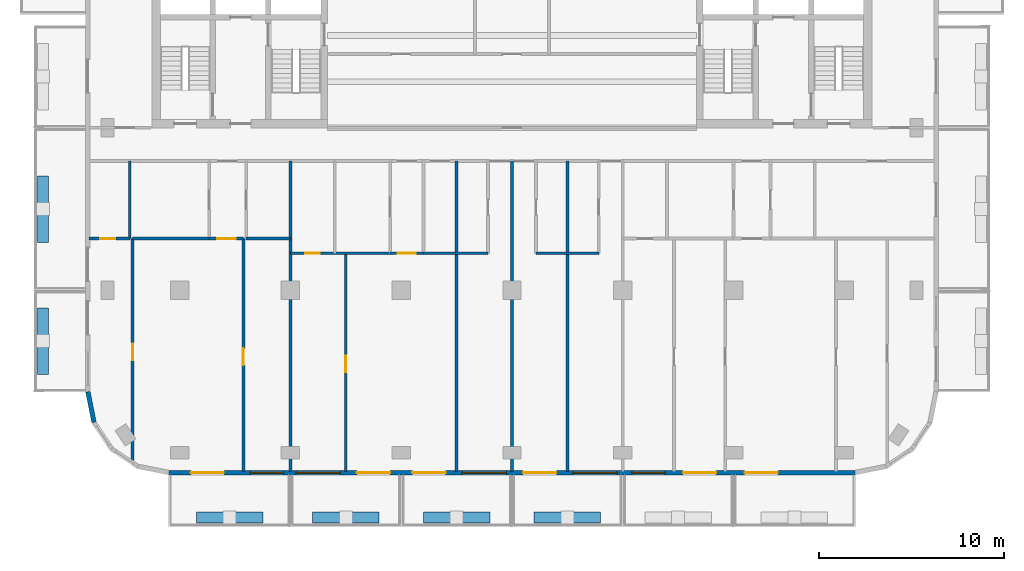
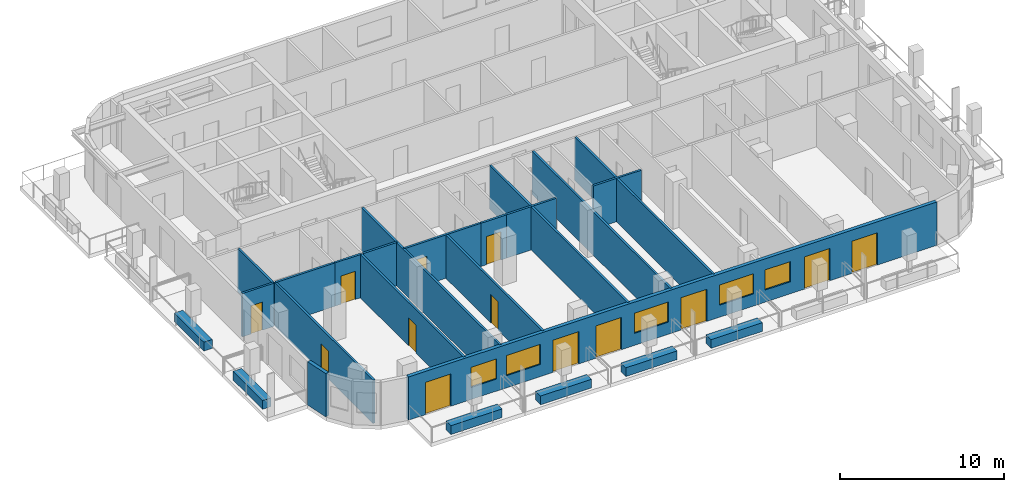
# One storey, part 2 of 11: 24 walls, 13 doors, 5 windows, 18 openings.
"""IFC4 building model written with IfcOpenShell, lengths in metres."""

import ifcopenshell
import ifcopenshell.guid

model = None  # the IFC model being written
_history = None  # IfcOwnerHistory: only IFC2X3 demands one
_inside = {}  # id of a spatial element -> (the spatial element, [elements in it])
_under = {}  # id of a project, library or spatial element -> (it, [spatial elements below it])
_declared = {}  # id of a project -> (the project, [libraries it declares])
_typed = {}  # id of a type object -> (the type object, [elements of that type])
_made_of = {}  # id of a material, layer set ... -> (it, [elements and type objects made of it])


def new_model(schema):
    """Start an empty IFC model of exactly this schema.

    Asked for "IFC4X3", IfcOpenShell would pick the latest addendum, in which some entities
    have other attributes; the version numbers below select the first issue.
    IFC2X3 requires an IfcOwnerHistory on every rooted entity: one is made here for all.
    """
    global model, _history
    if schema == "IFC4X3":
        model = ifcopenshell.file(schema_version=(4, 3, 0, 0))
    else:
        model = ifcopenshell.file(schema=schema)
    _inside.clear()
    _under.clear()
    _declared.clear()
    _typed.clear()
    _made_of.clear()
    _history = None
    if model.schema == "IFC2X3":
        org = make("IfcOrganization", Name="unknown")
        user = make(
            "IfcPersonAndOrganization",
            ThePerson=make("IfcPerson", FamilyName="unknown"),
            TheOrganization=org,
        )
        app = make(
            "IfcApplication",
            ApplicationDeveloper=org,
            Version="unknown",
            ApplicationFullName="unknown",
            ApplicationIdentifier="unknown",
        )
        _history = make(
            "IfcOwnerHistory",
            OwningUser=user,
            OwningApplication=app,
            ChangeAction="ADDED",
            CreationDate=0,
        )
    return model


def make(cls, **values):
    """One entity of the class cls with the attributes given. An attribute that is None is left unset."""
    return model.create_entity(
        cls, **{name: value for name, value in values.items() if value is not None}
    )


def rooted(cls, **values):
    """An entity with a GlobalId (a new one), such as an element, a storey or a relation."""
    return make(cls, GlobalId=ifcopenshell.guid.new(), OwnerHistory=_history, **values)


def si_unit(unit_type, name, prefix=None):
    """IfcSIUnit, for example si_unit("LENGTHUNIT", "METRE", prefix="MILLI")."""
    return make("IfcSIUnit", UnitType=unit_type, Prefix=prefix, Name=name)


def assignment(units):
    """IfcUnitAssignment: the units of a project."""
    return None if units is None else make("IfcUnitAssignment", Units=units)


def point(xyz):
    """IfcCartesianPoint."""
    return None if xyz is None else make("IfcCartesianPoint", Coordinates=xyz)


def direction(xyz):
    """IfcDirection."""
    return None if xyz is None else make("IfcDirection", DirectionRatios=xyz)


def frame(location, z_axis=None, x_axis=None):
    """IfcAxis2Placement3D, a coordinate frame: its origin and axes. An axis left out is left unset."""
    return make(
        "IfcAxis2Placement3D",
        Location=point(location),
        Axis=direction(z_axis),
        RefDirection=direction(x_axis),
    )


def frame_2d(location, x_axis=None):
    """IfcAxis2Placement2D, a coordinate frame in the plane: its origin and x axis."""
    return make(
        "IfcAxis2Placement2D", Location=point(location), RefDirection=direction(x_axis)
    )


def origin():
    """The frame at (0, 0, 0) with its axes left unset."""
    return frame((0.0, 0.0, 0.0))


def place(relative_to, where):
    """IfcLocalPlacement: puts the frame where relative to a parent placement (None: the world)."""
    return make(
        "IfcLocalPlacement", PlacementRelTo=relative_to, RelativePlacement=where
    )


def context(
    kind, dimensions, precision=None, world=None, true_north=None, identifier=None
):
    """IfcGeometricRepresentationContext, for example the 3D "Model" context."""
    return make(
        "IfcGeometricRepresentationContext",
        ContextIdentifier=identifier,
        ContextType=kind,
        CoordinateSpaceDimension=dimensions,
        Precision=precision,
        WorldCoordinateSystem=world,
        TrueNorth=true_north,
    )


def subcontext(parent, identifier, kind, view, scale=None):
    """IfcGeometricRepresentationSubContext, for example "Body" below "Model"."""
    return make(
        "IfcGeometricRepresentationSubContext",
        ContextIdentifier=identifier,
        ContextType=kind,
        ParentContext=parent,
        TargetScale=scale,
        TargetView=view,
    )


def project(units=None, contexts=None):
    """IfcProject with its units and contexts."""
    return rooted(
        "IfcProject",
        Name="project",
        RepresentationContexts=contexts,
        UnitsInContext=assignment(units),
    )


def spatial(cls, under=None, at=None, **own):
    """A site, building, storey or space (cls), placed at a placement, below another one or the project."""
    s = rooted(cls, ObjectPlacement=at, **own)
    if under is not None:
        _under.setdefault(under.id(), (under, []))[1].append(s)
    return s


def profile(cls, at=None, kind="AREA", **sizes):
    """A parametric profile (cls). Its sizes go by their IFC names, for example OverallWidth=200.0."""
    return make(cls, ProfileType=kind, Position=at, **sizes)


def rectangle(**sizes):
    """IfcRectangleProfileDef."""
    return profile("IfcRectangleProfileDef", **sizes)


def extrude(swept, where, along, depth):
    """IfcExtrudedAreaSolid: the profile swept, set in the frame where, extruded along a direction by depth."""
    return make(
        "IfcExtrudedAreaSolid",
        SweptArea=swept,
        Position=where,
        ExtrudedDirection=direction(along),
        Depth=depth,
    )


def shape(context_of_items, identifier, shape_type, items):
    """IfcShapeRepresentation: the items that make up one representation, for example the "Body"."""
    return make(
        "IfcShapeRepresentation",
        ContextOfItems=context_of_items,
        RepresentationIdentifier=identifier,
        RepresentationType=shape_type,
        Items=items,
    )


def material(Name=None, Category=None):
    """IfcMaterial."""
    return make("IfcMaterial", Name=Name, Category=Category)


def layer(
    of_material, thickness, ventilated=None, Name=None, Category=None, Priority=None
):
    """IfcMaterialLayer: one layer of a wall or slab, of a material (None: an air gap)."""
    return make(
        "IfcMaterialLayer",
        Material=of_material,
        LayerThickness=thickness,
        IsVentilated=ventilated,
        Name=Name,
        Category=Category,
        Priority=Priority,
    )


def layer_set(layers, Name=None):
    """IfcMaterialLayerSet."""
    return make("IfcMaterialLayerSet", MaterialLayers=layers, LayerSetName=Name)


def made_of(thing, what):
    """Note that an element or type object is made of a material, layer set ...; save() writes the relation."""
    if what is not None:
        _made_of.setdefault(what.id(), (what, []))[1].append(thing)
    return thing


def type_object(cls, material=None, **own):
    """A type object (cls), such as IfcWallType, which elements share."""
    return made_of(rooted(cls, **own), material)


def element(
    cls,
    number,
    at=None,
    inside=None,
    cuts=None,
    type_object=None,
    material=None,
    context=None,
    identifier="Body",
    shape_type=None,
    held_by="IfcProductDefinitionShape",
    body=None,
    shapes=None,
    **own,
):
    """One element of the class cls, such as IfcWall. Its Tag is "e" and its number.

    at: its placement. inside: the storey or other place that contains it. cuts: it is an
    opening in that element (IfcRelVoidsElement). A single representation is given by context,
    identifier, shape_type and body (its items); several are given by shapes. held_by: the class
    of the entity that holds the representations. save() writes the other relations.
    """
    e = rooted(cls, Tag="e%d" % number, ObjectPlacement=at, **own)
    if body is not None:
        shapes = [shape(context, identifier, shape_type, body)]
    if shapes is not None:
        e.Representation = make(held_by, Representations=shapes)
    if inside is not None:
        _inside.setdefault(inside.id(), (inside, []))[1].append(e)
    if cuts is not None:
        rooted(
            "IfcRelVoidsElement", RelatingBuildingElement=cuts, RelatedOpeningElement=e
        )
    if type_object is not None:
        _typed.setdefault(type_object.id(), (type_object, []))[1].append(e)
    return made_of(e, material)


def fill(opening, filler):
    """IfcRelFillsElement: the door or window that sits in an opening."""
    return rooted(
        "IfcRelFillsElement",
        RelatingOpeningElement=opening,
        RelatedBuildingElement=filler,
    )


def aggregate(whole, parts):
    """IfcRelAggregates: a whole, such as a stair, and the parts it consists of."""
    return rooted("IfcRelAggregates", RelatingObject=whole, RelatedObjects=parts)


def save(model, path):
    """Write the relations noted so far, then the file.

    IfcRelAggregates (storeys below a building ...), IfcRelContainedInSpatialStructure (elements
    in a storey), IfcRelDefinesByType, IfcRelAssociatesMaterial and IfcRelDeclares: one each for
    every whole, place, type object, material and project.
    """
    for whole, parts in _under.values():
        aggregate(whole, parts)
    for where, things in _inside.values():
        rooted(
            "IfcRelContainedInSpatialStructure",
            RelatedElements=things,
            RelatingStructure=where,
        )
    for kind, things in _typed.values():
        rooted("IfcRelDefinesByType", RelatedObjects=things, RelatingType=kind)
    for what, things in _made_of.values():
        rooted("IfcRelAssociatesMaterial", RelatedObjects=things, RelatingMaterial=what)
    for by, libraries in _declared.values():
        rooted("IfcRelDeclares", RelatingContext=by, RelatedDefinitions=libraries)
    model.write(path)


model = new_model("IFC4")

# Units and contexts
model_context = context("Model", 3, precision=1e-05, world=origin(), true_north=direction((0.0, 1.0)))
body_context = subcontext(model_context, "Body", "Model", "MODEL_VIEW")
ifc_project = project(units=[si_unit("LENGTHUNIT", "METRE"), si_unit("AREAUNIT", "SQUARE_METRE"), si_unit("VOLUMEUNIT", "CUBIC_METRE"), si_unit("PLANEANGLEUNIT", "RADIAN"), si_unit("MASSUNIT", "GRAM", prefix="KILO")], contexts=[model_context])

# Site, building, storey
site_placement = place(None, origin())
site = spatial("IfcSite", under=ifc_project, at=site_placement, CompositionType="ELEMENT")
building_placement = place(site_placement, origin())
building = spatial("IfcBuilding", under=site, at=building_placement, Name="Torana Hotel and Residences", CompositionType="ELEMENT")
storey_placement = place(building_placement, frame((0.0, 0.0, 287.60009765625)))
storey = spatial("IfcBuildingStorey", under=building, at=storey_placement, Name="L76", CompositionType="ELEMENT", Elevation=287.60009765625)

# Wall
ifc_material_1 = material(Name="Black aluminium composite panel", Category="aluminium")
ifc_layer_1 = layer(ifc_material_1, 0.00390625, Name="Cladding", Category="cladding")
ifc_material_2 = material(Name="Ventilated air cavity")
ifc_layer_2 = layer(ifc_material_2, 0.0400390625, Name="Ventilated cavity", Category="cavity")
ifc_material_3 = material(Name="Mineral wool insulation")
ifc_layer_3 = layer(ifc_material_3, 0.090087890625, Name="Insulation", Category="insulation")
ifc_material_4 = material(Name="Steel S280GD", Category="steel")
ifc_layer_4 = layer(ifc_material_4, 0.092041015625, Name="Steel stud frame", Category="structure")
ifc_material_5 = material(Name="Fire rated plasterboard")
ifc_layer_5 = layer(ifc_material_5, 0.011962890625, Name="Inner board", Category="finish")
ifc_layer_6 = layer(ifc_material_5, 0.011962890625, Name="Second board", Category="finish")
ifc_layer_set_1 = layer_set([ifc_layer_1, ifc_layer_2, ifc_layer_3, ifc_layer_4, ifc_layer_5, ifc_layer_6], Name="EW1 EXTERNAL WALL BLACK METAL CLAD 250")
wall_type_1 = type_object("IfcWallType", Name="EW1 EXTERNAL WALL BLACK METAL CLAD 250", PredefinedType="SOLIDWALL", material=ifc_layer_set_1)
wall_1_placement = place(storey_placement, frame((-22.97265625, -29.2998046875, 0.0), z_axis=(0.0, 0.0, 1.0), x_axis=(0.19513878023, -0.980775640221, 0.0)))
element("IfcWall", 1, at=wall_1_placement, inside=storey, type_object=wall_type_1, Name="External wall L76 e0.10", PredefinedType="SOLIDWALL", context=body_context, shape_type="SweptSolid", body=[
    extrude(rectangle(XDim=1.681396484375, YDim=0.25, at=frame_2d((0.8408203125, 0.0))), origin(), (0.0, 0.0, 1.0), 3.219970703125),
])

# Wall, openings, doors, windows
wall_2_placement = place(storey_placement, frame((-18.575439453125, -33.675048828125, 0.0), z_axis=(0.0, 0.0, 1.0), x_axis=(1.0, 0.0, 0.0)))
wall_2 = element("IfcWall", 2, at=wall_2_placement, inside=storey, type_object=wall_type_1, Name="External wall L76 e0.14", PredefinedType="SOLIDWALL", context=body_context, shape_type="SweptSolid", body=[
    extrude(rectangle(XDim=37.15087890625, YDim=0.25, at=frame_2d((18.575439453125, 0.0))), origin(), (0.0, 0.0, 1.0), 3.219970703125),
])
opening_1_placement = place(wall_2_placement, frame((1.17529296875, 0.0, 0.0)))
opening_1 = element("IfcOpeningElement", 3, at=opening_1_placement, cuts=wall_2, Name="Opening L76-E01", PredefinedType="OPENING", context=body_context, shape_type="SweptSolid", body=[
    extrude(rectangle(XDim=1.800048828125, YDim=2.39990234375, at=frame_2d((0.89990234375, 1.199951171875))), frame((0.0, 0.135009765625, 0.0), z_axis=(0.0, -1.0, 0.0), x_axis=(1.0, 0.0, 0.0)), (0.0, 0.0, 1.0), 0.27001953125),
])
opening_2_placement = place(wall_2_placement, frame((4.400390625, 0.0, 0.89990234375)))
opening_2 = element("IfcOpeningElement", 4, at=opening_2_placement, cuts=wall_2, Name="Opening W4", PredefinedType="OPENING", context=body_context, shape_type="SweptSolid", body=[
    extrude(rectangle(XDim=1.800048828125, YDim=1.5, at=frame_2d((0.89990234375, 0.75))), frame((0.0, 0.135009765625, 0.0), z_axis=(0.0, -1.0, 0.0), x_axis=(1.0, 0.0, 0.0)), (0.0, 0.0, 1.0), 0.27001953125),
])
opening_3_placement = place(wall_2_placement, frame((6.87548828125, 0.0, 0.89990234375)))
opening_3 = element("IfcOpeningElement", 5, at=opening_3_placement, cuts=wall_2, Name="Opening W3", PredefinedType="OPENING", context=body_context, shape_type="SweptSolid", body=[
    extrude(rectangle(XDim=2.39990234375, YDim=1.5, at=frame_2d((1.199951171875, 0.75))), frame((0.0, 0.135009765625, 0.0), z_axis=(0.0, -1.0, 0.0), x_axis=(1.0, 0.0, 0.0)), (0.0, 0.0, 1.0), 0.27001953125),
])
opening_4_placement = place(wall_2_placement, frame((10.17529296875, 0.0, 0.0)))
opening_4 = element("IfcOpeningElement", 6, at=opening_4_placement, cuts=wall_2, Name="Opening L76-E02", PredefinedType="OPENING", context=body_context, shape_type="SweptSolid", body=[
    extrude(rectangle(XDim=1.800048828125, YDim=2.39990234375, at=frame_2d((0.89990234375, 1.199951171875))), frame((0.0, 0.135009765625, 0.0), z_axis=(0.0, -1.0, 0.0), x_axis=(1.0, 0.0, 0.0)), (0.0, 0.0, 1.0), 0.27001953125),
])
opening_5_placement = place(wall_2_placement, frame((13.17529296875, 0.0, 0.0)))
opening_5 = element("IfcOpeningElement", 7, at=opening_5_placement, cuts=wall_2, Name="Opening L76-E03", PredefinedType="OPENING", context=body_context, shape_type="SweptSolid", body=[
    extrude(rectangle(XDim=1.800048828125, YDim=2.39990234375, at=frame_2d((0.89990234375, 1.199951171875))), frame((0.0, 0.135009765625, 0.0), z_axis=(0.0, -1.0, 0.0), x_axis=(1.0, 0.0, 0.0)), (0.0, 0.0, 1.0), 0.27001953125),
])
opening_6_placement = place(wall_2_placement, frame((15.87548828125, 0.0, 0.89990234375)))
opening_6 = element("IfcOpeningElement", 8, at=opening_6_placement, cuts=wall_2, Name="Opening W3", PredefinedType="OPENING", context=body_context, shape_type="SweptSolid", body=[
    extrude(rectangle(XDim=2.39990234375, YDim=1.5, at=frame_2d((1.199951171875, 0.75))), frame((0.0, 0.135009765625, 0.0), z_axis=(0.0, -1.0, 0.0), x_axis=(1.0, 0.0, 0.0)), (0.0, 0.0, 1.0), 0.27001953125),
])
opening_7_placement = place(wall_2_placement, frame((19.17529296875, 0.0, 0.0)))
opening_7 = element("IfcOpeningElement", 9, at=opening_7_placement, cuts=wall_2, Name="Opening L76-E04", PredefinedType="OPENING", context=body_context, shape_type="SweptSolid", body=[
    extrude(rectangle(XDim=1.800048828125, YDim=2.39990234375, at=frame_2d((0.89990234375, 1.199951171875))), frame((0.0, 0.135009765625, 0.0), z_axis=(0.0, -1.0, 0.0), x_axis=(1.0, 0.0, 0.0)), (0.0, 0.0, 1.0), 0.27001953125),
])
opening_8_placement = place(wall_2_placement, frame((21.87548828125, 0.0, 0.89990234375)))
opening_8 = element("IfcOpeningElement", 10, at=opening_8_placement, cuts=wall_2, Name="Opening W3", PredefinedType="OPENING", context=body_context, shape_type="SweptSolid", body=[
    extrude(rectangle(XDim=2.39990234375, YDim=1.5, at=frame_2d((1.199951171875, 0.75))), frame((0.0, 0.135009765625, 0.0), z_axis=(0.0, -1.0, 0.0), x_axis=(1.0, 0.0, 0.0)), (0.0, 0.0, 1.0), 0.27001953125),
])
opening_9_placement = place(wall_2_placement, frame((25.0634765625, 0.0, 0.89990234375)))
opening_9 = element("IfcOpeningElement", 11, at=opening_9_placement, cuts=wall_2, Name="Opening W4", PredefinedType="OPENING", context=body_context, shape_type="SweptSolid", body=[
    extrude(rectangle(XDim=1.800048828125, YDim=1.5, at=frame_2d((0.89990234375, 0.75))), frame((0.0, 0.135009765625, 0.0), z_axis=(0.0, -1.0, 0.0), x_axis=(1.0, 0.0, 0.0)), (0.0, 0.0, 1.0), 0.27001953125),
])
opening_10_placement = place(wall_2_placement, frame((27.83837890625, 0.0, 0.0)))
opening_10 = element("IfcOpeningElement", 12, at=opening_10_placement, cuts=wall_2, Name="Opening L76-E05", PredefinedType="OPENING", context=body_context, shape_type="SweptSolid", body=[
    extrude(rectangle(XDim=1.800048828125, YDim=2.39990234375, at=frame_2d((0.89990234375, 1.199951171875))), frame((0.0, 0.135009765625, 0.0), z_axis=(0.0, -1.0, 0.0), x_axis=(1.0, 0.0, 0.0)), (0.0, 0.0, 1.0), 0.27001953125),
])
opening_11_placement = place(wall_2_placement, frame((31.17529296875, 0.0, 0.0)))
opening_11 = element("IfcOpeningElement", 13, at=opening_11_placement, cuts=wall_2, Name="Opening L76-E06", PredefinedType="OPENING", context=body_context, shape_type="SweptSolid", body=[
    extrude(rectangle(XDim=1.800048828125, YDim=2.39990234375, at=frame_2d((0.89990234375, 1.199951171875))), frame((0.0, 0.135009765625, 0.0), z_axis=(0.0, -1.0, 0.0), x_axis=(1.0, 0.0, 0.0)), (0.0, 0.0, 1.0), 0.27001953125),
])
ifc_material_6 = material(Name="Dark glass in black aluminium frame", Category="aluminium")
door_type_1 = type_object("IfcDoorType", Name="DB1 BALCONY DOOR 1800x2400", OperationType="DOUBLE_DOOR_SINGLE_SWING", PredefinedType="DOOR", material=ifc_material_6)
door_1_placement = place(opening_1_placement, origin())
door_1 = element("IfcDoor", 14, at=door_1_placement, inside=storey, type_object=door_type_1, Name="Balcony door L76", OperationType="DOUBLE_DOOR_SINGLE_SWING", OverallHeight=2.39990234375, OverallWidth=1.800048828125, PredefinedType="DOOR", context=body_context, shape_type="SweptSolid", body=[
    extrude(rectangle(XDim=1.800048828125, YDim=2.39990234375, at=frame_2d((0.89990234375, 1.199951171875))), frame((0.0, 0.02490234375, 0.0), z_axis=(0.0, -1.0, 0.0), x_axis=(1.0, 0.0, 0.0)), (0.0, 0.0, 1.0), 0.050048828125),
])
fill(opening_1, door_1)
door_2_placement = place(opening_4_placement, origin())
door_2 = element("IfcDoor", 15, at=door_2_placement, inside=storey, type_object=door_type_1, Name="Balcony door L76", OperationType="DOUBLE_DOOR_SINGLE_SWING", OverallHeight=2.39990234375, OverallWidth=1.800048828125, PredefinedType="DOOR", context=body_context, shape_type="SweptSolid", body=[
    extrude(rectangle(XDim=1.800048828125, YDim=2.39990234375, at=frame_2d((0.89990234375, 1.199951171875))), frame((0.0, 0.02490234375, 0.0), z_axis=(0.0, -1.0, 0.0), x_axis=(1.0, 0.0, 0.0)), (0.0, 0.0, 1.0), 0.050048828125),
])
fill(opening_4, door_2)
door_3_placement = place(opening_5_placement, origin())
door_3 = element("IfcDoor", 16, at=door_3_placement, inside=storey, type_object=door_type_1, Name="Balcony door L76", OperationType="DOUBLE_DOOR_SINGLE_SWING", OverallHeight=2.39990234375, OverallWidth=1.800048828125, PredefinedType="DOOR", context=body_context, shape_type="SweptSolid", body=[
    extrude(rectangle(XDim=1.800048828125, YDim=2.39990234375, at=frame_2d((0.89990234375, 1.199951171875))), frame((0.0, 0.02490234375, 0.0), z_axis=(0.0, -1.0, 0.0), x_axis=(1.0, 0.0, 0.0)), (0.0, 0.0, 1.0), 0.050048828125),
])
fill(opening_5, door_3)
door_4_placement = place(opening_7_placement, origin())
door_4 = element("IfcDoor", 17, at=door_4_placement, inside=storey, type_object=door_type_1, Name="Balcony door L76", OperationType="DOUBLE_DOOR_SINGLE_SWING", OverallHeight=2.39990234375, OverallWidth=1.800048828125, PredefinedType="DOOR", context=body_context, shape_type="SweptSolid", body=[
    extrude(rectangle(XDim=1.800048828125, YDim=2.39990234375, at=frame_2d((0.89990234375, 1.199951171875))), frame((0.0, 0.02490234375, 0.0), z_axis=(0.0, -1.0, 0.0), x_axis=(1.0, 0.0, 0.0)), (0.0, 0.0, 1.0), 0.050048828125),
])
fill(opening_7, door_4)
door_5_placement = place(opening_10_placement, origin())
door_5 = element("IfcDoor", 18, at=door_5_placement, inside=storey, type_object=door_type_1, Name="Balcony door L76", OperationType="DOUBLE_DOOR_SINGLE_SWING", OverallHeight=2.39990234375, OverallWidth=1.800048828125, PredefinedType="DOOR", context=body_context, shape_type="SweptSolid", body=[
    extrude(rectangle(XDim=1.800048828125, YDim=2.39990234375, at=frame_2d((0.89990234375, 1.199951171875))), frame((0.0, 0.02490234375, 0.0), z_axis=(0.0, -1.0, 0.0), x_axis=(1.0, 0.0, 0.0)), (0.0, 0.0, 1.0), 0.050048828125),
])
fill(opening_10, door_5)
door_6_placement = place(opening_11_placement, origin())
door_6 = element("IfcDoor", 19, at=door_6_placement, inside=storey, type_object=door_type_1, Name="Balcony door L76", OperationType="DOUBLE_DOOR_SINGLE_SWING", OverallHeight=2.39990234375, OverallWidth=1.800048828125, PredefinedType="DOOR", context=body_context, shape_type="SweptSolid", body=[
    extrude(rectangle(XDim=1.800048828125, YDim=2.39990234375, at=frame_2d((0.89990234375, 1.199951171875))), frame((0.0, 0.02490234375, 0.0), z_axis=(0.0, -1.0, 0.0), x_axis=(1.0, 0.0, 0.0)), (0.0, 0.0, 1.0), 0.050048828125),
])
fill(opening_11, door_6)
ifc_material_7 = material(Name="Dark glass in black aluminium frame", Category="aluminium")
window_type_1 = type_object("IfcWindowType", Name="W3 RESIDENCE WINDOW 2400x1500", PartitioningType="SINGLE_PANEL", PredefinedType="WINDOW", material=ifc_material_7)
window_1_placement = place(opening_3_placement, origin())
window_1 = element("IfcWindow", 20, at=window_1_placement, inside=storey, type_object=window_type_1, Name="Window L76", OverallHeight=1.5, OverallWidth=2.39990234375, PartitioningType="SINGLE_PANEL", PredefinedType="WINDOW", context=body_context, shape_type="SweptSolid", body=[
    extrude(rectangle(XDim=2.39990234375, YDim=1.5, at=frame_2d((1.199951171875, 0.75))), frame((0.0, 0.030029296875, 0.0), z_axis=(0.0, -1.0, 0.0), x_axis=(1.0, 0.0, 0.0)), (0.0, 0.0, 1.0), 0.06005859375),
])
fill(opening_3, window_1)
window_2_placement = place(opening_6_placement, origin())
window_2 = element("IfcWindow", 21, at=window_2_placement, inside=storey, type_object=window_type_1, Name="Window L76", OverallHeight=1.5, OverallWidth=2.39990234375, PartitioningType="SINGLE_PANEL", PredefinedType="WINDOW", context=body_context, shape_type="SweptSolid", body=[
    extrude(rectangle(XDim=2.39990234375, YDim=1.5, at=frame_2d((1.199951171875, 0.75))), frame((0.0, 0.030029296875, 0.0), z_axis=(0.0, -1.0, 0.0), x_axis=(1.0, 0.0, 0.0)), (0.0, 0.0, 1.0), 0.06005859375),
])
fill(opening_6, window_2)
window_3_placement = place(opening_8_placement, origin())
window_3 = element("IfcWindow", 22, at=window_3_placement, inside=storey, type_object=window_type_1, Name="Window L76", OverallHeight=1.5, OverallWidth=2.39990234375, PartitioningType="SINGLE_PANEL", PredefinedType="WINDOW", context=body_context, shape_type="SweptSolid", body=[
    extrude(rectangle(XDim=2.39990234375, YDim=1.5, at=frame_2d((1.199951171875, 0.75))), frame((0.0, 0.030029296875, 0.0), z_axis=(0.0, -1.0, 0.0), x_axis=(1.0, 0.0, 0.0)), (0.0, 0.0, 1.0), 0.06005859375),
])
fill(opening_8, window_3)
ifc_material_8 = material(Name="Dark glass in black aluminium frame", Category="aluminium")
window_type_2 = type_object("IfcWindowType", Name="W4 RESIDENCE WINDOW NARROW 1800x1500", PartitioningType="SINGLE_PANEL", PredefinedType="WINDOW", material=ifc_material_8)
window_4_placement = place(opening_2_placement, origin())
window_4 = element("IfcWindow", 23, at=window_4_placement, inside=storey, type_object=window_type_2, Name="Window L76", OverallHeight=1.5, OverallWidth=1.800048828125, PartitioningType="SINGLE_PANEL", PredefinedType="WINDOW", context=body_context, shape_type="SweptSolid", body=[
    extrude(rectangle(XDim=1.800048828125, YDim=1.5, at=frame_2d((0.89990234375, 0.75))), frame((0.0, 0.030029296875, 0.0), z_axis=(0.0, -1.0, 0.0), x_axis=(1.0, 0.0, 0.0)), (0.0, 0.0, 1.0), 0.06005859375),
])
fill(opening_2, window_4)
window_5_placement = place(opening_9_placement, origin())
window_5 = element("IfcWindow", 24, at=window_5_placement, inside=storey, type_object=window_type_2, Name="Window L76", OverallHeight=1.5, OverallWidth=1.800048828125, PartitioningType="SINGLE_PANEL", PredefinedType="WINDOW", context=body_context, shape_type="SweptSolid", body=[
    extrude(rectangle(XDim=1.800048828125, YDim=1.5, at=frame_2d((0.89990234375, 0.75))), frame((0.0, 0.030029296875, 0.0), z_axis=(0.0, -1.0, 0.0), x_axis=(1.0, 0.0, 0.0)), (0.0, 0.0, 1.0), 0.06005859375),
])
fill(opening_9, window_5)

# Wall, opening, door
ifc_material_9 = material(Name="Gypsum plaster")
ifc_layer_7 = layer(ifc_material_9, 0.014892578125, Name="Plaster", Category="finish")
ifc_material_10 = material(Name="Concrete blockwork", Category="masonry")
ifc_layer_8 = layer(ifc_material_10, 0.1201171875, Name="Blockwork", Category="structure")
ifc_layer_9 = layer(ifc_material_9, 0.014892578125, Name="Plaster", Category="finish")
ifc_layer_set_2 = layer_set([ifc_layer_7, ifc_layer_8, ifc_layer_9], Name="FIRE PARTITION 150 BLOCKWORK")
wall_type_2 = type_object("IfcWallType", Name="FIRE PARTITION 150 BLOCKWORK", PredefinedType="PARTITIONING", material=ifc_layer_set_2)
wall_3_placement = place(storey_placement, frame((-6.60009765625, -21.800048828125, 0.0), z_axis=(0.0, 0.0, 1.0), x_axis=(1.0, 0.0, 0.0)))
wall_3 = element("IfcWall", 25, at=wall_3_placement, inside=storey, type_object=wall_type_2, Name="Partition L76", PredefinedType="PARTITIONING", context=body_context, shape_type="SweptSolid", body=[
    extrude(rectangle(XDim=1.800048828125, YDim=0.14990234375, at=frame_2d((0.89990234375, 0.0))), origin(), (0.0, 0.0, 1.0), 3.219970703125),
])
opening_12_placement = place(wall_3_placement, frame((0.39990234375, 0.0, 0.0)))
opening_12 = element("IfcOpeningElement", 26, at=opening_12_placement, cuts=wall_3, Name="Opening L76-40", PredefinedType="OPENING", context=body_context, shape_type="SweptSolid", body=[
    extrude(rectangle(XDim=1.0, YDim=2.10009765625, at=frame_2d((0.5, 1.050048828125))), frame((0.0, 0.0849609375, 0.0), z_axis=(0.0, -1.0, 0.0), x_axis=(1.0, 0.0, 0.0)), (0.0, 0.0, 1.0), 0.169921875),
])
ifc_material_11 = material(Name="Steel S235", Category="steel")
door_type_2 = type_object("IfcDoorType", Name="ENTRY FIRE DOOR D6 1000x2100", OperationType="SINGLE_SWING_LEFT", PredefinedType="DOOR", material=ifc_material_11)
door_7_placement = place(opening_12_placement, frame((0.5, 0.0, 0.0), z_axis=(0.0, 0.0, 1.0), x_axis=(-1.0, 0.0, 0.0)))
door_7 = element("IfcDoor", 27, at=door_7_placement, inside=storey, type_object=door_type_2, Name="Door L76", OperationType="SINGLE_SWING_LEFT", OverallHeight=2.10009765625, OverallWidth=1.0, PredefinedType="DOOR", context=body_context, shape_type="SweptSolid", body=[
    extrude(rectangle(XDim=1.0, YDim=2.10009765625, at=frame_2d((0.0, 1.050048828125))), frame((0.0, -0.02490234375, 0.0), z_axis=(0.0, 1.0, 0.0), x_axis=(-1.0, 0.0, 0.0)), (0.0, 0.0, 1.0), 0.050048828125),
])
fill(opening_12, door_7)

wall_4_placement = place(storey_placement, frame((-16.39990234375, -21.0, 0.0), z_axis=(0.0, 0.0, 1.0), x_axis=(1.0, 0.0, 0.0)))
wall_4 = element("IfcWall", 28, at=wall_4_placement, inside=storey, type_object=wall_type_2, Name="Partition L76", PredefinedType="PARTITIONING", context=body_context, shape_type="SweptSolid", body=[
    extrude(rectangle(XDim=1.849853515625, YDim=0.14990234375, at=frame_2d((0.9248046875, 0.0))), origin(), (0.0, 0.0, 1.0), 3.219970703125),
])
opening_13_placement = place(wall_4_placement, frame((0.425048828125, 0.0, 0.0)))
opening_13 = element("IfcOpeningElement", 29, at=opening_13_placement, cuts=wall_4, Name="Opening L76-47", PredefinedType="OPENING", context=body_context, shape_type="SweptSolid", body=[
    extrude(rectangle(XDim=1.0, YDim=2.10009765625, at=frame_2d((0.5, 1.050048828125))), frame((0.0, 0.0849609375, 0.0), z_axis=(0.0, -1.0, 0.0), x_axis=(1.0, 0.0, 0.0)), (0.0, 0.0, 1.0), 0.169921875),
])
door_8_placement = place(opening_13_placement, frame((0.5, 0.0, 0.0), z_axis=(0.0, 0.0, 1.0), x_axis=(-1.0, 0.0, 0.0)))
door_8 = element("IfcDoor", 30, at=door_8_placement, inside=storey, type_object=door_type_2, Name="Door L76", OperationType="SINGLE_SWING_RIGHT", OverallHeight=2.10009765625, OverallWidth=1.0, PredefinedType="DOOR", context=body_context, shape_type="SweptSolid", body=[
    extrude(rectangle(XDim=1.0, YDim=2.10009765625, at=frame_2d((0.0, 1.050048828125))), frame((0.0, -0.02490234375, 0.0), z_axis=(0.0, 1.0, 0.0), x_axis=(-1.0, 0.0, 0.0)), (0.0, 0.0, 1.0), 0.050048828125),
])
fill(opening_13, door_8)

# Walls
ifc_material_12 = material(Name="Gypsum plasterboard")
ifc_layer_10 = layer(ifc_material_12, 0.012451171875, Name="Plasterboard", Category="finish")
ifc_layer_11 = layer(ifc_material_12, 0.012451171875, Name="Plasterboard", Category="finish")
ifc_layer_12 = layer(ifc_material_4, 0.10009765625, Name="Steel studs with mineral wool", Category="insulation")
ifc_layer_13 = layer(ifc_material_12, 0.012451171875, Name="Plasterboard", Category="finish")
ifc_layer_14 = layer(ifc_material_12, 0.012451171875, Name="Plasterboard", Category="finish")
ifc_layer_set_3 = layer_set([ifc_layer_10, ifc_layer_11, ifc_layer_12, ifc_layer_13, ifc_layer_14], Name="PARTITION 150 PLASTERBOARD")
wall_type_3 = type_object("IfcWallType", Name="PARTITION 150 PLASTERBOARD", PredefinedType="PARTITIONING", material=ifc_layer_set_3)
for number, where, z_axis, x_axis, name in (
    (31, (3.0, -33.6201171875, 0.0), (0.0, 0.0, 1.0), (0.0, 1.0, 0.0), "Partition L76"),
    (32, (0.0, -33.6201171875, 0.0), (0.0, 0.0, 1.0), (0.0, 1.0, 0.0), "Partition L76"),
    (33, (-3.0, -33.6201171875, 0.0), (0.0, 0.0, 1.0), (0.0, 1.0, 0.0), "Partition L76"),
):
    element("IfcWall", number, at=place(storey_placement, frame(where, z_axis=z_axis, x_axis=x_axis)), inside=storey, type_object=wall_type_3, Name=name, PredefinedType="PARTITIONING", context=body_context, shape_type="SweptSolid", body=[
        extrude(rectangle(XDim=16.820068359375, YDim=0.14990234375, at=frame_2d((8.41015625, 0.0))), origin(), (0.0, 0.0, 1.0), 3.219970703125),
    ])

# Wall, opening, door
wall_5_placement = place(storey_placement, frame((-9.0, -33.6201171875, 0.0), z_axis=(0.0, 0.0, 1.0), x_axis=(0.0, 1.0, 0.0)))
wall_5 = element("IfcWall", 34, at=wall_5_placement, inside=storey, type_object=wall_type_3, Name="Partition L76", PredefinedType="PARTITIONING", context=body_context, shape_type="SweptSolid", body=[
    extrude(rectangle(XDim=11.820068359375, YDim=0.14990234375, at=frame_2d((5.91015625, 0.0))), origin(), (0.0, 0.0, 1.0), 3.219970703125),
])
opening_14_placement = place(wall_5_placement, frame((5.3701171875, 0.0, 0.0)))
opening_14 = element("IfcOpeningElement", 35, at=opening_14_placement, cuts=wall_5, Name="Opening L76-41", PredefinedType="OPENING", context=body_context, shape_type="SweptSolid", body=[
    extrude(rectangle(XDim=0.89990234375, YDim=2.10009765625, at=frame_2d((0.449951171875, 1.050048828125))), frame((0.0, 0.0849609375, 0.0), z_axis=(0.0, -1.0, 0.0), x_axis=(1.0, 0.0, 0.0)), (0.0, 0.0, 1.0), 0.169921875),
])
ifc_material_13 = material(Name="Timber door, oiled ash", Category="wood")
door_type_3 = type_object("IfcDoorType", Name="ROOM DOOR D7 900x2100", OperationType="SINGLE_SWING_LEFT", PredefinedType="DOOR", material=ifc_material_13)
door_9_placement = place(opening_14_placement, origin())
door_9 = element("IfcDoor", 36, at=door_9_placement, inside=storey, type_object=door_type_3, Name="Door L76", OperationType="SINGLE_SWING_RIGHT", OverallHeight=2.10009765625, OverallWidth=0.89990234375, PredefinedType="DOOR", context=body_context, shape_type="SweptSolid", body=[
    extrude(rectangle(XDim=0.89990234375, YDim=2.10009765625, at=frame_2d((0.449951171875, 1.050048828125))), frame((0.0, 0.02490234375, 0.0), z_axis=(0.0, -1.0, 0.0), x_axis=(1.0, 0.0, 0.0)), (0.0, 0.0, 1.0), 0.050048828125),
])
fill(opening_14, door_9)

# Wall
wall_6_placement = place(storey_placement, frame((-12.0, -33.6201171875, 0.0), z_axis=(0.0, 0.0, 1.0), x_axis=(0.0, 1.0, 0.0)))
element("IfcWall", 37, at=wall_6_placement, inside=storey, type_object=wall_type_3, Name="Partition L76", PredefinedType="PARTITIONING", context=body_context, shape_type="SweptSolid", body=[
    extrude(rectangle(XDim=16.820068359375, YDim=0.14990234375, at=frame_2d((8.41015625, 0.0))), origin(), (0.0, 0.0, 1.0), 3.219970703125),
])

# Wall, opening, door
wall_7_placement = place(storey_placement, frame((-14.550048828125, -33.6201171875, 0.0), z_axis=(0.0, 0.0, 1.0), x_axis=(0.0, 1.0, 0.0)))
wall_7 = element("IfcWall", 38, at=wall_7_placement, inside=storey, type_object=wall_type_3, Name="Partition L76", PredefinedType="PARTITIONING", context=body_context, shape_type="SweptSolid", body=[
    extrude(rectangle(XDim=12.6201171875, YDim=0.14990234375, at=frame_2d((6.31005859375, 0.0))), origin(), (0.0, 0.0, 1.0), 3.219970703125),
])
opening_15_placement = place(wall_7_placement, frame((5.77001953125, 0.0, 0.0)))
opening_15 = element("IfcOpeningElement", 39, at=opening_15_placement, cuts=wall_7, Name="Opening L76-49", PredefinedType="OPENING", context=body_context, shape_type="SweptSolid", body=[
    extrude(rectangle(XDim=0.89990234375, YDim=2.10009765625, at=frame_2d((0.449951171875, 1.050048828125))), frame((0.0, 0.0849609375, 0.0), z_axis=(0.0, -1.0, 0.0), x_axis=(1.0, 0.0, 0.0)), (0.0, 0.0, 1.0), 0.169921875),
])
door_10_placement = place(opening_15_placement, origin())
door_10 = element("IfcDoor", 40, at=door_10_placement, inside=storey, type_object=door_type_3, Name="Door L76", OperationType="SINGLE_SWING_RIGHT", OverallHeight=2.10009765625, OverallWidth=0.89990234375, PredefinedType="DOOR", context=body_context, shape_type="SweptSolid", body=[
    extrude(rectangle(XDim=0.89990234375, YDim=2.10009765625, at=frame_2d((0.449951171875, 1.050048828125))), frame((0.0, 0.02490234375, 0.0), z_axis=(0.0, -1.0, 0.0), x_axis=(1.0, 0.0, 0.0)), (0.0, 0.0, 1.0), 0.050048828125),
])
fill(opening_15, door_10)

wall_8_placement = place(storey_placement, frame((-20.550048828125, -33.0166015625, 0.0), z_axis=(0.0, 0.0, 1.0), x_axis=(0.0, 1.0, 0.0)))
wall_8 = element("IfcWall", 41, at=wall_8_placement, inside=storey, type_object=wall_type_3, Name="Partition L76", PredefinedType="PARTITIONING", context=body_context, shape_type="SweptSolid", body=[
    extrude(rectangle(XDim=12.0166015625, YDim=0.14990234375, at=frame_2d((6.00830078125, 0.0))), origin(), (0.0, 0.0, 1.0), 3.219970703125),
])
opening_16_placement = place(wall_8_placement, frame((5.431640625, 0.0, 0.0)))
opening_16 = element("IfcOpeningElement", 42, at=opening_16_placement, cuts=wall_8, Name="Opening L76-50", PredefinedType="OPENING", context=body_context, shape_type="SweptSolid", body=[
    extrude(rectangle(XDim=0.89990234375, YDim=2.10009765625, at=frame_2d((0.449951171875, 1.050048828125))), frame((0.0, 0.0849609375, 0.0), z_axis=(0.0, -1.0, 0.0), x_axis=(1.0, 0.0, 0.0)), (0.0, 0.0, 1.0), 0.169921875),
])
door_11_placement = place(opening_16_placement, origin())
door_11 = element("IfcDoor", 43, at=door_11_placement, inside=storey, type_object=door_type_3, Name="Door L76", OperationType="SINGLE_SWING_RIGHT", OverallHeight=2.10009765625, OverallWidth=0.89990234375, PredefinedType="DOOR", context=body_context, shape_type="SweptSolid", body=[
    extrude(rectangle(XDim=0.89990234375, YDim=2.10009765625, at=frame_2d((0.449951171875, 1.050048828125))), frame((0.0, 0.02490234375, 0.0), z_axis=(0.0, -1.0, 0.0), x_axis=(1.0, 0.0, 0.0)), (0.0, 0.0, 1.0), 0.050048828125),
])
fill(opening_16, door_11)

# Wall
wall_9_placement = place(storey_placement, frame((-20.699951171875, -21.0, 0.0), z_axis=(0.0, 0.0, 1.0), x_axis=(0.0, 1.0, 0.0)))
element("IfcWall", 44, at=wall_9_placement, inside=storey, type_object=wall_type_3, Name="Partition L76", PredefinedType="PARTITIONING", context=body_context, shape_type="SweptSolid", body=[
    extrude(rectangle(XDim=4.199951171875, YDim=0.14990234375, at=frame_2d((2.10009765625, 0.0))), origin(), (0.0, 0.0, 1.0), 3.219970703125),
])

# Wall, opening, door
wall_10_placement = place(storey_placement, frame((-12.0, -21.800048828125, 0.0), z_axis=(0.0, 0.0, 1.0), x_axis=(1.0, 0.0, 0.0)))
wall_10 = element("IfcWall", 45, at=wall_10_placement, inside=storey, type_object=wall_type_3, Name="Partition L76", PredefinedType="PARTITIONING", context=body_context, shape_type="SweptSolid", body=[
    extrude(rectangle(XDim=5.39990234375, YDim=0.14990234375, at=frame_2d((2.699951171875, 0.0))), origin(), (0.0, 0.0, 1.0), 3.219970703125),
])
opening_17_placement = place(wall_10_placement, frame((0.800048828125, 0.0, 0.0)))
opening_17 = element("IfcOpeningElement", 46, at=opening_17_placement, cuts=wall_10, Name="Opening L76-38", PredefinedType="OPENING", context=body_context, shape_type="SweptSolid", body=[
    extrude(rectangle(XDim=0.800048828125, YDim=2.10009765625, at=frame_2d((0.39990234375, 1.050048828125))), frame((0.0, 0.0849609375, 0.0), z_axis=(0.0, -1.0, 0.0), x_axis=(1.0, 0.0, 0.0)), (0.0, 0.0, 1.0), 0.169921875),
])
ifc_material_14 = material(Name="Timber door, painted", Category="wood")
door_type_4 = type_object("IfcDoorType", Name="BATH DOOR D13 800x2100", OperationType="SINGLE_SWING_LEFT", PredefinedType="DOOR", material=ifc_material_14)
door_12_placement = place(opening_17_placement, origin())
door_12 = element("IfcDoor", 47, at=door_12_placement, inside=storey, type_object=door_type_4, Name="Door L76", OperationType="SINGLE_SWING_RIGHT", OverallHeight=2.10009765625, OverallWidth=0.800048828125, PredefinedType="DOOR", context=body_context, shape_type="SweptSolid", body=[
    extrude(rectangle(XDim=0.800048828125, YDim=2.10009765625, at=frame_2d((0.39990234375, 1.050048828125))), frame((0.0, 0.02490234375, 0.0), z_axis=(0.0, -1.0, 0.0), x_axis=(1.0, 0.0, 0.0)), (0.0, 0.0, 1.0), 0.050048828125),
])
fill(opening_17, door_12)

# Walls
wall_11_placement = place(storey_placement, frame((-4.800048828125, -21.800048828125, 0.0), z_axis=(0.0, 0.0, 1.0), x_axis=(1.0, 0.0, 0.0)))
element("IfcWall", 48, at=wall_11_placement, inside=storey, type_object=wall_type_3, Name="Partition L76", PredefinedType="PARTITIONING", context=body_context, shape_type="SweptSolid", body=[
    extrude(rectangle(XDim=3.5, YDim=0.14990234375, at=frame_2d((1.75, 0.0))), origin(), (0.0, 0.0, 1.0), 3.219970703125),
])
wall_12_placement = place(storey_placement, frame((1.300048828125, -21.800048828125, 0.0), z_axis=(0.0, 0.0, 1.0), x_axis=(1.0, 0.0, 0.0)))
element("IfcWall", 49, at=wall_12_placement, inside=storey, type_object=wall_type_3, Name="Partition L76", PredefinedType="PARTITIONING", context=body_context, shape_type="SweptSolid", body=[
    extrude(rectangle(XDim=3.39990234375, YDim=0.14990234375, at=frame_2d((1.699951171875, 0.0))), origin(), (0.0, 0.0, 1.0), 3.219970703125),
])

# Wall, opening, door
wall_13_placement = place(storey_placement, frame((-22.919921875, -21.0, 0.0), z_axis=(0.0, 0.0, 1.0), x_axis=(1.0, 0.0, 0.0)))
wall_13 = element("IfcWall", 50, at=wall_13_placement, inside=storey, type_object=wall_type_3, Name="Partition L76", PredefinedType="PARTITIONING", context=body_context, shape_type="SweptSolid", body=[
    extrude(rectangle(XDim=2.219970703125, YDim=0.14990234375, at=frame_2d((1.10986328125, 0.0))), origin(), (0.0, 0.0, 1.0), 3.219970703125),
])
opening_18_placement = place(wall_13_placement, frame((0.6201171875, 0.0, 0.0)))
opening_18 = element("IfcOpeningElement", 51, at=opening_18_placement, cuts=wall_13, Name="Opening L76-48", PredefinedType="OPENING", context=body_context, shape_type="SweptSolid", body=[
    extrude(rectangle(XDim=0.800048828125, YDim=2.10009765625, at=frame_2d((0.39990234375, 1.050048828125))), frame((0.0, 0.0849609375, 0.0), z_axis=(0.0, -1.0, 0.0), x_axis=(1.0, 0.0, 0.0)), (0.0, 0.0, 1.0), 0.169921875),
])
door_13_placement = place(opening_18_placement, origin())
door_13 = element("IfcDoor", 52, at=door_13_placement, inside=storey, type_object=door_type_4, Name="Door L76", OperationType="SINGLE_SWING_RIGHT", OverallHeight=2.10009765625, OverallWidth=0.800048828125, PredefinedType="DOOR", context=body_context, shape_type="SweptSolid", body=[
    extrude(rectangle(XDim=0.800048828125, YDim=2.10009765625, at=frame_2d((0.39990234375, 1.050048828125))), frame((0.0, 0.02490234375, 0.0), z_axis=(0.0, -1.0, 0.0), x_axis=(1.0, 0.0, 0.0)), (0.0, 0.0, 1.0), 0.050048828125),
])
fill(opening_18, door_13)

# Walls
wall_14_placement = place(storey_placement, frame((-20.550048828125, -21.0, 0.0), z_axis=(0.0, 0.0, 1.0), x_axis=(1.0, 0.0, 0.0)))
element("IfcWall", 53, at=wall_14_placement, inside=storey, type_object=wall_type_3, Name="Partition L76", PredefinedType="PARTITIONING", context=body_context, shape_type="SweptSolid", body=[
    extrude(rectangle(XDim=4.150146484375, YDim=0.14990234375, at=frame_2d((2.0751953125, 0.0))), origin(), (0.0, 0.0, 1.0), 3.219970703125),
])
wall_15_placement = place(storey_placement, frame((-14.39990234375, -21.0, 0.0), z_axis=(0.0, 0.0, 1.0), x_axis=(1.0, 0.0, 0.0)))
element("IfcWall", 54, at=wall_15_placement, inside=storey, type_object=wall_type_3, Name="Partition L76", PredefinedType="PARTITIONING", context=body_context, shape_type="SweptSolid", body=[
    extrude(rectangle(XDim=2.39990234375, YDim=0.14990234375, at=frame_2d((1.199951171875, 0.0))), origin(), (0.0, 0.0, 1.0), 3.219970703125),
])
ifc_material_15 = material(Name="Concrete C40/50 precast", Category="concrete")
ifc_layer_15 = layer(ifc_material_15, 0.10009765625, Name="Planter shell", Category="structure")
ifc_material_16 = material(Name="Root resistant membrane")
ifc_layer_16 = layer(ifc_material_16, 0.00390625, Name="Waterproofing membrane", Category="membrane")
ifc_material_17 = material(Name="Drainage board with filter fleece")
ifc_layer_17 = layer(ifc_material_17, 0.02001953125, Name="Drainage board", Category="drainage")
ifc_material_18 = material(Name="Growing medium")
ifc_layer_18 = layer(ifc_material_18, 0.47607421875, Name="Planting substrate", Category="soil")
ifc_layer_set_4 = layer_set([ifc_layer_15, ifc_layer_16, ifc_layer_17, ifc_layer_18], Name="PL1 BALCONY PLANTER 600")
wall_type_4 = type_object("IfcWallType", Name="PL1 BALCONY PLANTER 600", PredefinedType="USERDEFINED", material=ifc_layer_set_4)
for number, where, z_axis, x_axis, name in (
    (55, (-13.5, -36.10009765625, 0.0), (0.0, 0.0, 1.0), (-1.0, 0.0, 0.0), "Planter 01"),
    (56, (-7.199951171875, -36.10009765625, 0.0), (0.0, 0.0, 1.0), (-1.0, 0.0, 0.0), "Planter 02"),
    (57, (-1.199951171875, -36.10009765625, 0.0), (0.0, 0.0, 1.0), (-1.0, 0.0, 0.0), "Planter 03"),
    (58, (4.800048828125, -36.10009765625, 0.0), (0.0, 0.0, 1.0), (-1.0, 0.0, 0.0), "Planter 04"),
    (59, (-25.39990234375, -28.35009765625, 0.0), (0.0, 0.0, 1.0), (0.0, 1.0, 0.0), "Planter 07"),
):
    element("IfcWall", number, at=place(storey_placement, frame(where, z_axis=z_axis, x_axis=x_axis)), inside=storey, type_object=wall_type_4, Name=name, ObjectType="PLANTER", PredefinedType="USERDEFINED", context=body_context, shape_type="SweptSolid", body=[
        extrude(rectangle(XDim=3.60009765625, YDim=0.60009765625, at=frame_2d((1.800048828125, 0.0))), origin(), (0.0, 0.0, 1.0), 0.64990234375),
    ])
wall_16_placement = place(storey_placement, frame((-25.39990234375, -21.199951171875, 0.0), z_axis=(0.0, 0.0, 1.0), x_axis=(0.0, 1.0, 0.0)))
element("IfcWall", 60, at=wall_16_placement, inside=storey, type_object=wall_type_4, Name="Planter 08", ObjectType="PLANTER", PredefinedType="USERDEFINED", context=body_context, shape_type="SweptSolid", body=[
    extrude(rectangle(XDim=3.599853515625, YDim=0.60009765625, at=frame_2d((1.7998046875, 0.0))), origin(), (0.0, 0.0, 1.0), 0.64990234375),
])

save(model, "model.ifc")
